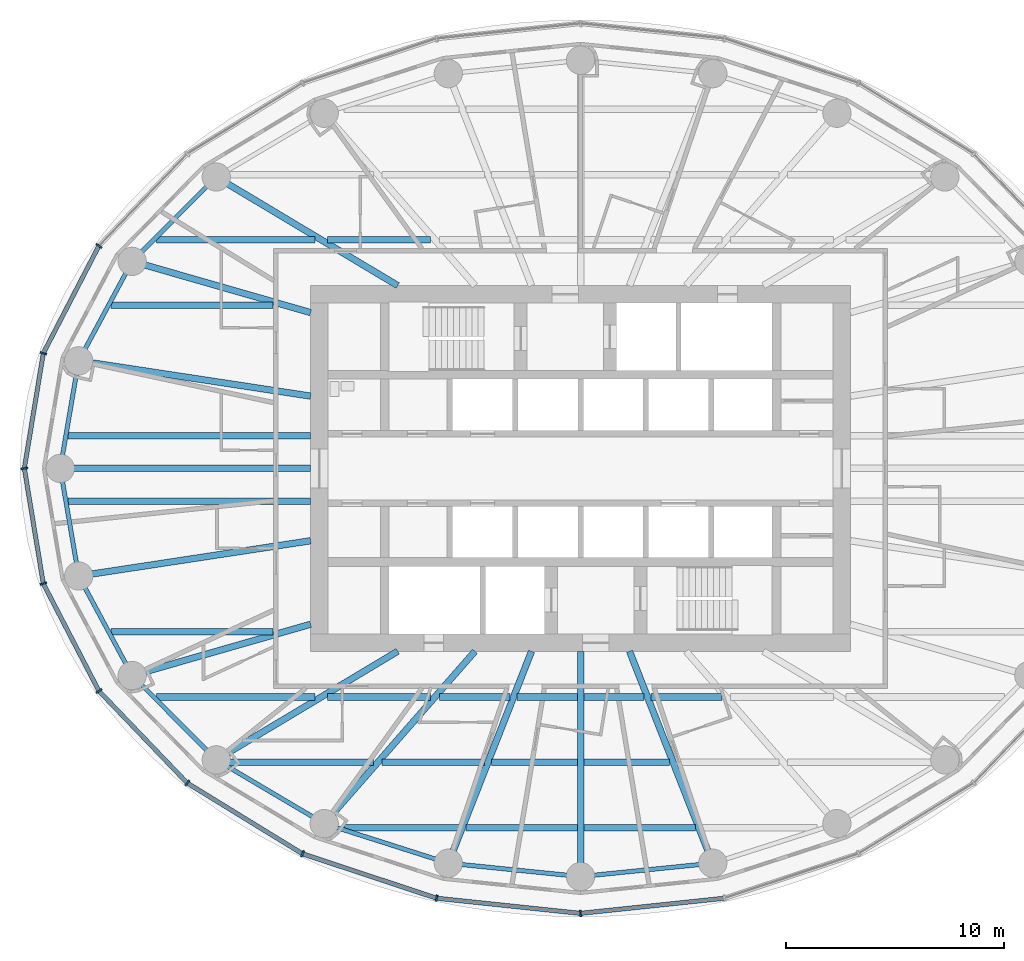
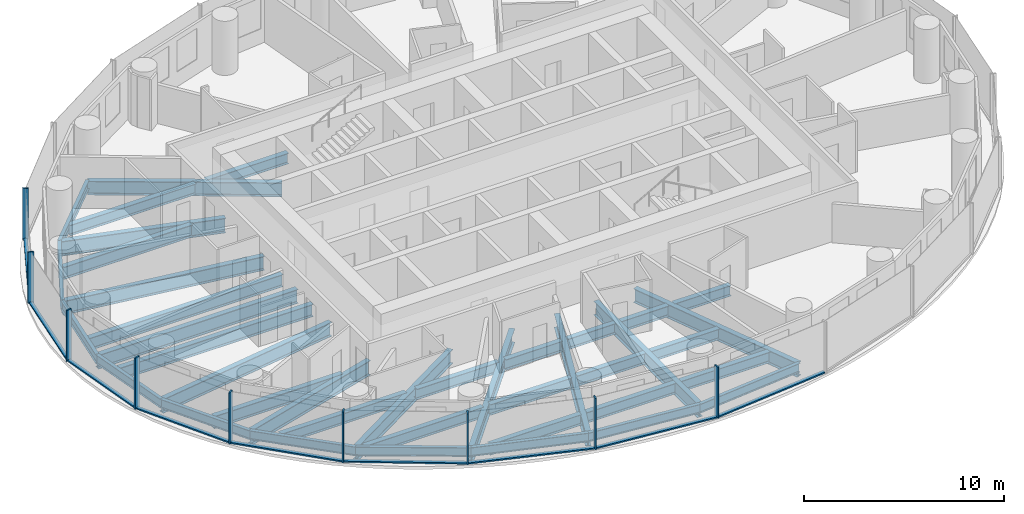
# One storey, part 2 of 14: 40 beams, 18 members, 3 elements without a shape of their own.
"""IFC4 building model written with IfcOpenShell, lengths in metres."""

from ifc_helpers import new_model, si_unit, direction, frame, origin, origin_2d, place, context, subcontext, project, spatial, rectangle, i_section, extrude, material, material_profile, profile_set, type_object, element, aggregate, save


model = new_model("IFC4")

# Units and contexts
model_context = context("Model", 3, precision=1e-05, world=origin(), true_north=direction((0.0, 1.0)))
body_context = subcontext(model_context, "Body", "Model", "MODEL_VIEW")
ifc_project = project(units=[si_unit("LENGTHUNIT", "METRE"), si_unit("AREAUNIT", "SQUARE_METRE"), si_unit("VOLUMEUNIT", "CUBIC_METRE"), si_unit("PLANEANGLEUNIT", "RADIAN"), si_unit("MASSUNIT", "GRAM", prefix="KILO")], contexts=[model_context])

# Site, building, storey
site_placement = place(None, origin())
site = spatial("IfcSite", under=ifc_project, at=site_placement, CompositionType="ELEMENT")
building_placement = place(site_placement, origin())
building = spatial("IfcBuilding", under=site, at=building_placement, Name="Hankou Lantern Tower", CompositionType="ELEMENT")
storey_placement = place(building_placement, frame((0.0, 0.0, 108.89990234375)))
storey = spatial("IfcBuildingStorey", under=building, at=storey_placement, Name="L27", CompositionType="ELEMENT", Elevation=108.89990234375)

# Beams
ifc_material_1 = material(Name="Steel Q355B", Category="steel")
ifc_material_profile_1 = material_profile(ifc_material_1, i_section(OverallWidth=0.199951171875, OverallDepth=0.550048828125, WebThickness=0.010009765625, FlangeThickness=0.01611328125, FilletRadius=0.012939453125, at=origin_2d()), Name="HN550x200x10x16")
ifc_profile_set_1 = profile_set([ifc_material_profile_1], Name="Steel Q355B")
beam_type_1 = type_object("IfcBeamType", Name="EB6 RING BEAM HN550x200x10x16", PredefinedType="SPANDREL", material=ifc_profile_set_1)
beam_1_placement = place(storey_placement, frame((-16.73388671875, 13.38720703125, -0.454833984375), z_axis=(-0.705945468625, -0.708266189599, 0.0), x_axis=(0.708266189599, -0.705945468625, 0.0)))
element("IfcBeam", 1, at=beam_1_placement, inside=storey, type_object=beam_type_1, Name="Ring beam R10-R11 L27", PredefinedType="SPANDREL", context=body_context, shape_type="SweptSolid", body=[
    extrude(i_section(OverallWidth=0.199951171875, OverallDepth=0.550048828125, WebThickness=0.010009765625, FlangeThickness=0.01611328125, FilletRadius=0.012939453125, at=origin_2d()), origin(), (0.0, 0.0, 1.0), 5.470458984375),
])
beam_2_placement = place(storey_placement, frame((-20.595703125, 9.5126953125, -0.454833984375), z_axis=(-0.473824901673, -0.880619079145, 0.0), x_axis=(0.880619079145, -0.473824901673, 0.0)))
element("IfcBeam", 2, at=beam_2_placement, inside=storey, type_object=beam_type_1, Name="Ring beam R11-R12 L27", PredefinedType="SPANDREL", context=body_context, shape_type="SweptSolid", body=[
    extrude(i_section(OverallWidth=0.199951171875, OverallDepth=0.550048828125, WebThickness=0.010009765625, FlangeThickness=0.01611328125, FilletRadius=0.012939453125, at=origin_2d()), origin(), (0.0, 0.0, 1.0), 5.190185546875),
])
for number, where, z_axis, x_axis, name in (
    (3, (-23.054931640625, 4.942138671875, -0.454833984375), (-0.168527258545, -0.985696993567, 0.0), (0.985696993567, -0.168527258545, 0.0), "Ring beam R12-R13 L27"),
    (4, (-23.89990234375, 0.0, -0.454833984375), (0.168527258545, -0.985696993567, 0.0), (0.985696993567, 0.168527258545, 0.0), "Ring beam R13-R14 L27"),
):
    element("IfcBeam", number, at=place(storey_placement, frame(where, z_axis=z_axis, x_axis=x_axis)), inside=storey, type_object=beam_type_1, Name=name, PredefinedType="SPANDREL", context=body_context, shape_type="SweptSolid", body=[
        extrude(i_section(OverallWidth=0.199951171875, OverallDepth=0.550048828125, WebThickness=0.010009765625, FlangeThickness=0.01611328125, FilletRadius=0.012939453125, at=origin_2d()), origin(), (0.0, 0.0, 1.0), 5.013916015625),
    ])
beam_3_placement = place(storey_placement, frame((-23.054931640625, -4.942138671875, -0.454833984375), z_axis=(0.473824901673, -0.880619079145, 0.0), x_axis=(0.880619079145, 0.473824901673, 0.0)))
element("IfcBeam", 5, at=beam_3_placement, inside=storey, type_object=beam_type_1, Name="Ring beam R14-R15 L27", PredefinedType="SPANDREL", context=body_context, shape_type="SweptSolid", body=[
    extrude(i_section(OverallWidth=0.199951171875, OverallDepth=0.550048828125, WebThickness=0.010009765625, FlangeThickness=0.01611328125, FilletRadius=0.012939453125, at=origin_2d()), origin(), (0.0, 0.0, 1.0), 5.190185546875),
])
beam_4_placement = place(storey_placement, frame((-20.595703125, -9.5126953125, -0.454833984375), z_axis=(0.705945468625, -0.708266189599, 0.0), x_axis=(0.708266189599, 0.705945468625, 0.0)))
element("IfcBeam", 6, at=beam_4_placement, inside=storey, type_object=beam_type_1, Name="Ring beam R15-R16 L27", PredefinedType="SPANDREL", context=body_context, shape_type="SweptSolid", body=[
    extrude(i_section(OverallWidth=0.199951171875, OverallDepth=0.550048828125, WebThickness=0.010009765625, FlangeThickness=0.01611328125, FilletRadius=0.012939453125, at=origin_2d()), origin(), (0.0, 0.0, 1.0), 5.470458984375),
])
beam_5_placement = place(storey_placement, frame((-16.73388671875, -13.38720703125, -0.454833984375), z_axis=(0.860988974188, -0.508623619513, 0.0), x_axis=(0.508623619513, 0.860988974188, 0.0)))
element("IfcBeam", 7, at=beam_5_placement, inside=storey, type_object=beam_type_1, Name="Ring beam R16-R17 L27", PredefinedType="SPANDREL", context=body_context, shape_type="SweptSolid", body=[
    extrude(i_section(OverallWidth=0.199951171875, OverallDepth=0.550048828125, WebThickness=0.010009765625, FlangeThickness=0.01611328125, FilletRadius=0.012939453125, at=origin_2d()), origin(), (0.0, 0.0, 1.0), 5.759033203125),
])
beam_6_placement = place(storey_placement, frame((-11.775390625, -16.31640625, -0.454833984375), z_axis=(0.952731090451, -0.303814860215, 0.0), x_axis=(0.303814860215, 0.952731090451, 0.0)))
element("IfcBeam", 8, at=beam_6_placement, inside=storey, type_object=beam_type_1, Name="Ring beam R17-R18 L27", PredefinedType="SPANDREL", context=body_context, shape_type="SweptSolid", body=[
    extrude(i_section(OverallWidth=0.199951171875, OverallDepth=0.550048828125, WebThickness=0.010009765625, FlangeThickness=0.01611328125, FilletRadius=0.012939453125, at=origin_2d()), origin(), (0.0, 0.0, 1.0), 5.984375),
])
for number, where, z_axis, x_axis, name in (
    (9, (-6.073974609375, -18.134521484375, -0.454833984375), (0.994905271594, -0.100814188259, 0.0), (0.100814188259, 0.994905271594, 0.0), "Ring beam R18-R19 L27"),
    (10, (0.0, -18.75, -0.454833984375), (0.994905271594, 0.100814188259, 0.0), (-0.100814188259, 0.994905271594, 0.0), "Ring beam R19-R20 L27"),
):
    element("IfcBeam", number, at=place(storey_placement, frame(where, z_axis=z_axis, x_axis=x_axis)), inside=storey, type_object=beam_type_1, Name=name, PredefinedType="SPANDREL", context=body_context, shape_type="SweptSolid", body=[
        extrude(i_section(OverallWidth=0.199951171875, OverallDepth=0.550048828125, WebThickness=0.010009765625, FlangeThickness=0.01611328125, FilletRadius=0.012939453125, at=origin_2d()), origin(), (0.0, 0.0, 1.0), 6.10498046875),
    ])

# Curtain wall, members
ifc_material_2 = material(Name="Glass, dark grey tinted laminated", Category="glass")
curtain_wall_type = type_object("IfcCurtainWallType", Name="CWB OUTER SKIN MID-RISE", PredefinedType="USERDEFINED", material=ifc_material_2)
curtain_wall_1_placement = place(storey_placement, origin())
curtain_wall_1 = element("IfcCurtainWall", 11, at=curtain_wall_1_placement, inside=storey, type_object=curtain_wall_type, Name="CWB L27 OS2", ObjectType="OUTER SKIN MID-RISE", PredefinedType="USERDEFINED")
ifc_material_3 = material(Name="Aluminium, black anodised", Category="aluminium")
ifc_material_profile_2 = material_profile(ifc_material_3, rectangle(XDim=0.080078125, YDim=0.300048828125, at=origin_2d()), Name="MU1 80X300")
ifc_profile_set_2 = profile_set([ifc_material_profile_2], Name="Aluminium, black anodised")
member_type_1 = type_object("IfcMemberType", Name="MU1 OUTER SKIN MULLION 80X300", PredefinedType="MULLION", material=ifc_profile_set_2)
member_1_placement = place(storey_placement, frame((-22.126953125, 10.219970703125, 0.0), z_axis=(0.0, 0.0, 1.0), x_axis=(-0.585205735974, -0.810884854084, 0.0)))
member_1 = element("IfcMember", 12, at=member_1_placement, type_object=member_type_1, Name="CWB mullion 5", PredefinedType="MULLION", context=body_context, shape_type="SweptSolid", body=[
    extrude(rectangle(XDim=0.080078125, YDim=0.300048828125, at=origin_2d()), origin(), (0.0, 0.0, 1.0), 3.1201171875),
])
member_2_placement = place(storey_placement, frame((-24.679443359375, 5.290283203125, 0.0), z_axis=(0.0, 0.0, 1.0), x_axis=(-0.317595577365, -0.94822626479, 0.0)))
member_2 = element("IfcMember", 13, at=member_2_placement, type_object=member_type_1, Name="CWB mullion 6", PredefinedType="MULLION", context=body_context, shape_type="SweptSolid", body=[
    extrude(rectangle(XDim=0.080078125, YDim=0.300048828125, at=origin_2d()), origin(), (0.0, 0.0, 1.0), 3.1201171875),
])

curtain_wall_2_placement = place(storey_placement, origin())
curtain_wall_2 = element("IfcCurtainWall", 14, at=curtain_wall_2_placement, inside=storey, type_object=curtain_wall_type, Name="CWB L27 OS3", ObjectType="OUTER SKIN MID-RISE", PredefinedType="USERDEFINED")
member_3_placement = place(storey_placement, frame((-25.550048828125, 0.0, 0.0), z_axis=(0.0, 0.0, 1.0), x_axis=(0.162381515188, -0.986728049427, 0.0)))
member_3 = element("IfcMember", 15, at=member_3_placement, type_object=member_type_1, Name="CWB mullion 1", PredefinedType="MULLION", context=body_context, shape_type="SweptSolid", body=[
    extrude(rectangle(XDim=0.080078125, YDim=0.300048828125, at=origin_2d()), origin(), (0.0, 0.0, 1.0), 3.1201171875),
])
member_4_placement = place(storey_placement, frame((-24.679443359375, -5.290283203125, 0.0), z_axis=(0.0, 0.0, 1.0), x_axis=(0.317595577365, -0.94822626479, 0.0)))
member_4 = element("IfcMember", 16, at=member_4_placement, type_object=member_type_1, Name="CWB mullion 2", PredefinedType="MULLION", context=body_context, shape_type="SweptSolid", body=[
    extrude(rectangle(XDim=0.080078125, YDim=0.300048828125, at=origin_2d()), origin(), (0.0, 0.0, 1.0), 3.1201171875),
])
member_5_placement = place(storey_placement, frame((-22.126953125, -10.219970703125, 0.0), z_axis=(0.0, 0.0, 1.0), x_axis=(0.585205735974, -0.810884854084, 0.0)))
member_5 = element("IfcMember", 17, at=member_5_placement, type_object=member_type_1, Name="CWB mullion 3", PredefinedType="MULLION", context=body_context, shape_type="SweptSolid", body=[
    extrude(rectangle(XDim=0.080078125, YDim=0.300048828125, at=origin_2d()), origin(), (0.0, 0.0, 1.0), 3.1201171875),
])
member_6_placement = place(storey_placement, frame((-18.066650390625, -14.453369140625, 0.0), z_axis=(0.0, 0.0, 1.0), x_axis=(0.780868809444, -0.624695047553, 0.0)))
member_6 = element("IfcMember", 18, at=member_6_placement, type_object=member_type_1, Name="CWB mullion 4", PredefinedType="MULLION", context=body_context, shape_type="SweptSolid", body=[
    extrude(rectangle(XDim=0.080078125, YDim=0.300048828125, at=origin_2d()), origin(), (0.0, 0.0, 1.0), 3.1201171875),
])
member_7_placement = place(storey_placement, frame((-12.77490234375, -17.70166015625, 0.0), z_axis=(0.0, 0.0, 1.0), x_axis=(0.907841299004, -0.419313934686, 0.0)))
member_7 = element("IfcMember", 19, at=member_7_placement, type_object=member_type_1, Name="CWB mullion 5", PredefinedType="MULLION", context=body_context, shape_type="SweptSolid", body=[
    extrude(rectangle(XDim=0.080078125, YDim=0.300048828125, at=origin_2d()), origin(), (0.0, 0.0, 1.0), 3.1201171875),
])
member_8_placement = place(storey_placement, frame((-6.61279296875, -19.743408203125, 0.0), z_axis=(0.0, 0.0, 1.0), x_axis=(0.977787659625, -0.209597931016, 0.0)))
member_8 = element("IfcMember", 20, at=member_8_placement, type_object=member_type_1, Name="CWB mullion 6", PredefinedType="MULLION", context=body_context, shape_type="SweptSolid", body=[
    extrude(rectangle(XDim=0.080078125, YDim=0.300048828125, at=origin_2d()), origin(), (0.0, 0.0, 1.0), 3.1201171875),
])

# Curtain wall, member
curtain_wall_3_placement = place(storey_placement, origin())
curtain_wall_3 = element("IfcCurtainWall", 21, at=curtain_wall_3_placement, inside=storey, type_object=curtain_wall_type, Name="CWB L27 OS4", ObjectType="OUTER SKIN MID-RISE", PredefinedType="USERDEFINED")
member_9_placement = place(storey_placement, frame((0.0, -20.43994140625, 0.0), z_axis=(0.0, 0.0, 1.0), x_axis=(0.994499359107, 0.104742659579, 0.0)))
member_9 = element("IfcMember", 22, at=member_9_placement, type_object=member_type_1, Name="CWB mullion 1", PredefinedType="MULLION", context=body_context, shape_type="SweptSolid", body=[
    extrude(rectangle(XDim=0.080078125, YDim=0.300048828125, at=origin_2d()), origin(), (0.0, 0.0, 1.0), 3.1201171875),
])

# Beams
ifc_material_4 = material(Name="Steel Q355B", Category="steel")
ifc_material_profile_3 = material_profile(ifc_material_4, i_section(OverallWidth=0.300048828125, OverallDepth=0.85009765625, WebThickness=0.01611328125, FlangeThickness=0.027099609375, FilletRadius=0.01806640625, at=origin_2d()), Name="HN850x300x16x27")
ifc_profile_set_3 = profile_set([ifc_material_profile_3], Name="Steel Q355B")
beam_type_2 = type_object("IfcBeamType", Name="RB12 RADIAL BEAM HN850x300x16x27", PredefinedType="BEAM", material=ifc_profile_set_3)
beam_7_placement = place(storey_placement, frame((-8.39990234375, 8.39990234375, -0.60498046875), z_axis=(-0.858086776551, 0.513504706802, 0.0), x_axis=(-0.513504706802, -0.858086776551, 0.0)))
element("IfcBeam", 23, at=beam_7_placement, inside=storey, type_object=beam_type_2, Name="Radial beam R10 L27", PredefinedType="BEAM", context=body_context, shape_type="SweptSolid", body=[
    extrude(i_section(OverallWidth=0.300048828125, OverallDepth=0.85009765625, WebThickness=0.01611328125, FlangeThickness=0.027099609375, FilletRadius=0.01806640625, at=origin_2d()), origin(), (0.0, 0.0, 1.0), 9.71240234375),
])
beam_8_placement = place(storey_placement, frame((-12.39990234375, 3.322509765625, -0.60498046875), z_axis=(-0.988643506875, 0.150279793429, 0.0), x_axis=(-0.150279793429, -0.988643506875, 0.0)))
element("IfcBeam", 24, at=beam_8_placement, inside=storey, type_object=beam_type_2, Name="Radial beam R12 L27", PredefinedType="BEAM", context=body_context, shape_type="SweptSolid", body=[
    extrude(i_section(OverallWidth=0.300048828125, OverallDepth=0.85009765625, WebThickness=0.01611328125, FlangeThickness=0.027099609375, FilletRadius=0.01806640625, at=origin_2d()), origin(), (0.0, 0.0, 1.0), 10.77734375),
])
beam_9_placement = place(storey_placement, frame((-12.39990234375, 0.0, -0.60498046875), z_axis=(-1.0, 0.0, 0.0), x_axis=(0.0, -1.0, 0.0)))
element("IfcBeam", 25, at=beam_9_placement, inside=storey, type_object=beam_type_2, Name="Radial beam R13 L27", PredefinedType="BEAM", context=body_context, shape_type="SweptSolid", body=[
    extrude(i_section(OverallWidth=0.300048828125, OverallDepth=0.85009765625, WebThickness=0.01611328125, FlangeThickness=0.027099609375, FilletRadius=0.01806640625, at=origin_2d()), origin(), (0.0, 0.0, 1.0), 11.5),
])
beam_10_placement = place(storey_placement, frame((-12.39990234375, -3.322509765625, -0.60498046875), z_axis=(-0.988643506875, -0.150279793429, 0.0), x_axis=(0.150279793429, -0.988643506875, 0.0)))
element("IfcBeam", 26, at=beam_10_placement, inside=storey, type_object=beam_type_2, Name="Radial beam R14 L27", PredefinedType="BEAM", context=body_context, shape_type="SweptSolid", body=[
    extrude(i_section(OverallWidth=0.300048828125, OverallDepth=0.85009765625, WebThickness=0.01611328125, FlangeThickness=0.027099609375, FilletRadius=0.01806640625, at=origin_2d()), origin(), (0.0, 0.0, 1.0), 10.77734375),
])
beam_11_placement = place(storey_placement, frame((-8.39990234375, -8.39990234375, -0.60498046875), z_axis=(-0.858086776551, -0.513504706802, 0.0), x_axis=(0.513504706802, -0.858086776551, 0.0)))
element("IfcBeam", 27, at=beam_11_placement, inside=storey, type_object=beam_type_2, Name="Radial beam R16 L27", PredefinedType="BEAM", context=body_context, shape_type="SweptSolid", body=[
    extrude(i_section(OverallWidth=0.300048828125, OverallDepth=0.85009765625, WebThickness=0.01611328125, FlangeThickness=0.027099609375, FilletRadius=0.01806640625, at=origin_2d()), origin(), (0.0, 0.0, 1.0), 9.71240234375),
])
beam_12_placement = place(storey_placement, frame((-4.849853515625, -8.39990234375, -0.60498046875), z_axis=(-0.658429014446, -0.752642832249, 0.0), x_axis=(0.752642832249, -0.658429014446, 0.0)))
element("IfcBeam", 28, at=beam_12_placement, inside=storey, type_object=beam_type_2, Name="Radial beam R17 L27", PredefinedType="BEAM", context=body_context, shape_type="SweptSolid", body=[
    extrude(i_section(OverallWidth=0.300048828125, OverallDepth=0.85009765625, WebThickness=0.01611328125, FlangeThickness=0.027099609375, FilletRadius=0.01806640625, at=origin_2d()), origin(), (0.0, 0.0, 1.0), 10.518310546875),
])
beam_13_placement = place(storey_placement, frame((-2.250732421875, -8.39990234375, -0.60498046875), z_axis=(-0.365563535437, -0.930786388791, 0.0), x_axis=(0.930786388791, -0.365563535437, 0.0)))
element("IfcBeam", 29, at=beam_13_placement, inside=storey, type_object=beam_type_2, Name="Radial beam R18 L27", PredefinedType="BEAM", context=body_context, shape_type="SweptSolid", body=[
    extrude(i_section(OverallWidth=0.300048828125, OverallDepth=0.85009765625, WebThickness=0.01611328125, FlangeThickness=0.027099609375, FilletRadius=0.01806640625, at=origin_2d()), origin(), (0.0, 0.0, 1.0), 10.45849609375),
])
beam_14_placement = place(storey_placement, frame((0.0, -8.39990234375, -0.60498046875), z_axis=(0.0, -1.0, 0.0), x_axis=(1.0, 0.0, 0.0)))
element("IfcBeam", 30, at=beam_14_placement, inside=storey, type_object=beam_type_2, Name="Radial beam R19 L27", PredefinedType="BEAM", context=body_context, shape_type="SweptSolid", body=[
    extrude(i_section(OverallWidth=0.300048828125, OverallDepth=0.85009765625, WebThickness=0.01611328125, FlangeThickness=0.027099609375, FilletRadius=0.01806640625, at=origin_2d()), origin(), (0.0, 0.0, 1.0), 10.35009765625),
])
beam_15_placement = place(storey_placement, frame((2.250732421875, -8.39990234375, -0.60498046875), z_axis=(0.365563535437, -0.930786388791, 0.0), x_axis=(0.930786388791, 0.365563535437, 0.0)))
element("IfcBeam", 31, at=beam_15_placement, inside=storey, type_object=beam_type_2, Name="Radial beam R20 L27", PredefinedType="BEAM", context=body_context, shape_type="SweptSolid", body=[
    extrude(i_section(OverallWidth=0.300048828125, OverallDepth=0.85009765625, WebThickness=0.01611328125, FlangeThickness=0.027099609375, FilletRadius=0.01806640625, at=origin_2d()), origin(), (0.0, 0.0, 1.0), 10.45849609375),
])
ifc_material_5 = material(Name="Steel Q355B", Category="steel")
ifc_material_profile_4 = material_profile(ifc_material_5, i_section(OverallWidth=0.300048828125, OverallDepth=0.89990234375, WebThickness=0.01611328125, FlangeThickness=0.028076171875, FilletRadius=0.01806640625, at=origin_2d()), Name="HN900x300x16x28")
ifc_profile_set_4 = profile_set([ifc_material_profile_4], Name="Steel Q355B")
beam_type_3 = type_object("IfcBeamType", Name="RB13 RADIAL BEAM HN900x300x16x28", PredefinedType="BEAM", material=ifc_profile_set_4)
for number, where, z_axis, x_axis, name in (
    (32, (-12.39990234375, 7.1591796875, -0.6298828125), (-0.961155741911, 0.276006593745, 0.0), (-0.276006593745, -0.961155741911, 0.0), "Radial beam R11 L27"),
    (33, (-12.39990234375, -7.1591796875, -0.6298828125), (-0.961155741911, -0.276006593745, 0.0), (0.276006593745, -0.961155741911, 0.0), "Radial beam R15 L27"),
):
    element("IfcBeam", number, at=place(storey_placement, frame(where, z_axis=z_axis, x_axis=x_axis)), inside=storey, type_object=beam_type_3, Name=name, PredefinedType="BEAM", context=body_context, shape_type="SweptSolid", body=[
        extrude(i_section(OverallWidth=0.300048828125, OverallDepth=0.89990234375, WebThickness=0.01611328125, FlangeThickness=0.028076171875, FilletRadius=0.01806640625, at=origin_2d()), origin(), (0.0, 0.0, 1.0), 8.527099609375),
    ])
ifc_material_6 = material(Name="Steel Q355B", Category="steel")
ifc_material_profile_5 = material_profile(ifc_material_6, i_section(OverallWidth=0.300048828125, OverallDepth=0.75, WebThickness=0.012939453125, FlangeThickness=0.02392578125, FilletRadius=0.01806640625, at=origin_2d()), Name="HN750x300x13x24")
ifc_profile_set_5 = profile_set([ifc_material_profile_5], Name="Steel Q355B")
beam_type_4 = type_object("IfcBeamType", Name="SB10 SECONDARY BEAM HN750x300x13x24", PredefinedType="JOIST", material=ifc_profile_set_5)
beam_16_placement = place(storey_placement, frame((-21.56494140625, -7.5, -0.554931640625), z_axis=(1.0, 0.0, 0.0), x_axis=(0.0, 1.0, 0.0)))
element("IfcBeam", 34, at=beam_16_placement, inside=storey, type_object=beam_type_4, Name="Floor joist J019 L27", PredefinedType="JOIST", context=body_context, shape_type="SweptSolid", body=[
    extrude(i_section(OverallWidth=0.300048828125, OverallDepth=0.75, WebThickness=0.012939453125, FlangeThickness=0.02392578125, FilletRadius=0.01806640625, at=origin_2d()), origin(), (0.0, 0.0, 1.0), 7.4345703125),
])
for number, where, z_axis, x_axis, name in (
    (35, (-23.5419921875, -1.5, -0.554931640625), (1.0, 0.0, 0.0), (0.0, 1.0, 0.0), "Floor joist J025 L27"),
    (36, (-23.5419921875, 1.5, -0.554931640625), (1.0, 0.0, 0.0), (0.0, 1.0, 0.0), "Floor joist J027 L27"),
):
    element("IfcBeam", number, at=place(storey_placement, frame(where, z_axis=z_axis, x_axis=x_axis)), inside=storey, type_object=beam_type_4, Name=name, PredefinedType="JOIST", context=body_context, shape_type="SweptSolid", body=[
        extrude(i_section(OverallWidth=0.300048828125, OverallDepth=0.75, WebThickness=0.012939453125, FlangeThickness=0.02392578125, FilletRadius=0.01806640625, at=origin_2d()), origin(), (0.0, 0.0, 1.0), 11.14208984375),
    ])
beam_17_placement = place(storey_placement, frame((-21.56494140625, 7.5, -0.554931640625), z_axis=(1.0, 0.0, 0.0), x_axis=(0.0, 1.0, 0.0)))
element("IfcBeam", 37, at=beam_17_placement, inside=storey, type_object=beam_type_4, Name="Floor joist J033 L27", PredefinedType="JOIST", context=body_context, shape_type="SweptSolid", body=[
    extrude(i_section(OverallWidth=0.300048828125, OverallDepth=0.75, WebThickness=0.012939453125, FlangeThickness=0.02392578125, FilletRadius=0.01806640625, at=origin_2d()), origin(), (0.0, 0.0, 1.0), 7.4345703125),
])
ifc_material_7 = material(Name="Steel Q355B", Category="steel")
ifc_material_profile_6 = material_profile(ifc_material_7, i_section(OverallWidth=0.300048828125, OverallDepth=0.64990234375, WebThickness=0.010986328125, FlangeThickness=0.01708984375, FilletRadius=0.01806640625, at=origin_2d()), Name="HN650x300x11x17")
ifc_profile_set_6 = profile_set([ifc_material_profile_6], Name="Steel Q355B")
beam_type_5 = type_object("IfcBeamType", Name="SB8 SECONDARY BEAM HN650x300x11x17", PredefinedType="JOIST", material=ifc_profile_set_6)
beam_18_placement = place(storey_placement, frame((-10.8701171875, -16.5, -0.5048828125), z_axis=(1.0, 0.0, 0.0), x_axis=(0.0, 1.0, 0.0)))
element("IfcBeam", 38, at=beam_18_placement, inside=storey, type_object=beam_type_5, Name="Floor joist J001 L27", PredefinedType="JOIST", context=body_context, shape_type="SweptSolid", body=[
    extrude(i_section(OverallWidth=0.300048828125, OverallDepth=0.64990234375, WebThickness=0.010986328125, FlangeThickness=0.01708984375, FilletRadius=0.01806640625, at=origin_2d()), origin(), (0.0, 0.0, 1.0), 5.27685546875),
])
for number, where, z_axis, x_axis, name in (
    (39, (-5.270751953125, -16.5, -0.5048828125), (1.0, 0.0, 0.0), (0.0, 1.0, 0.0), "Floor joist J002 L27"),
    (40, (0.14990234375, -16.5, -0.5048828125), (1.0, 0.0, 0.0), (0.0, 1.0, 0.0), "Floor joist J003 L27"),
):
    element("IfcBeam", number, at=place(storey_placement, frame(where, z_axis=z_axis, x_axis=x_axis)), inside=storey, type_object=beam_type_5, Name=name, PredefinedType="JOIST", context=body_context, shape_type="SweptSolid", body=[
        extrude(i_section(OverallWidth=0.300048828125, OverallDepth=0.64990234375, WebThickness=0.010986328125, FlangeThickness=0.01708984375, FilletRadius=0.01806640625, at=origin_2d()), origin(), (0.0, 0.0, 1.0), 5.120849609375),
    ])
beam_19_placement = place(storey_placement, frame((-16.34619140625, -13.5, -0.5048828125), z_axis=(1.0, 0.0, 0.0), x_axis=(0.0, 1.0, 0.0)))
element("IfcBeam", 41, at=beam_19_placement, inside=storey, type_object=beam_type_5, Name="Floor joist J005 L27", PredefinedType="JOIST", context=body_context, shape_type="SweptSolid", body=[
    extrude(i_section(OverallWidth=0.300048828125, OverallDepth=0.64990234375, WebThickness=0.010986328125, FlangeThickness=0.01708984375, FilletRadius=0.01806640625, at=origin_2d()), origin(), (0.0, 0.0, 1.0), 6.83544921875),
])
beam_20_placement = place(storey_placement, frame((-9.112060546875, -13.5, -0.5048828125), z_axis=(1.0, 0.0, 0.0), x_axis=(0.0, 1.0, 0.0)))
element("IfcBeam", 42, at=beam_20_placement, inside=storey, type_object=beam_type_5, Name="Floor joist J006 L27", PredefinedType="JOIST", context=body_context, shape_type="SweptSolid", body=[
    extrude(i_section(OverallWidth=0.300048828125, OverallDepth=0.64990234375, WebThickness=0.010986328125, FlangeThickness=0.01708984375, FilletRadius=0.01806640625, at=origin_2d()), origin(), (0.0, 0.0, 1.0), 4.697021484375),
])
for number, where, z_axis, x_axis, name in (
    (43, (-4.092529296875, -13.5, -0.5048828125), (1.0, 0.0, 0.0), (0.0, 1.0, 0.0), "Floor joist J007 L27"),
    (44, (0.14990234375, -13.5, -0.5048828125), (1.0, 0.0, 0.0), (0.0, 1.0, 0.0), "Floor joist J008 L27"),
):
    element("IfcBeam", number, at=place(storey_placement, frame(where, z_axis=z_axis, x_axis=x_axis)), inside=storey, type_object=beam_type_5, Name=name, PredefinedType="JOIST", context=body_context, shape_type="SweptSolid", body=[
        extrude(i_section(OverallWidth=0.300048828125, OverallDepth=0.64990234375, WebThickness=0.010986328125, FlangeThickness=0.01708984375, FilletRadius=0.01806640625, at=origin_2d()), origin(), (0.0, 0.0, 1.0), 3.942626953125),
    ])
beam_21_placement = place(storey_placement, frame((-19.470458984375, -10.5, -0.5048828125), z_axis=(1.0, 0.0, 0.0), x_axis=(0.0, 1.0, 0.0)))
element("IfcBeam", 45, at=beam_21_placement, inside=storey, type_object=beam_type_5, Name="Floor joist J011 L27", PredefinedType="JOIST", context=body_context, shape_type="SweptSolid", body=[
    extrude(i_section(OverallWidth=0.300048828125, OverallDepth=0.64990234375, WebThickness=0.010986328125, FlangeThickness=0.01708984375, FilletRadius=0.01806640625, at=origin_2d()), origin(), (0.0, 0.0, 1.0), 7.26904296875),
])
beam_22_placement = place(storey_placement, frame((-11.6171875, -10.5, -0.5048828125), z_axis=(1.0, 0.0, 0.0), x_axis=(0.0, 1.0, 0.0)))
element("IfcBeam", 46, at=beam_22_placement, inside=storey, type_object=beam_type_5, Name="Floor joist J012 L27", PredefinedType="JOIST", context=body_context, shape_type="SweptSolid", body=[
    extrude(i_section(OverallWidth=0.300048828125, OverallDepth=0.64990234375, WebThickness=0.010986328125, FlangeThickness=0.01708984375, FilletRadius=0.01806640625, at=origin_2d()), origin(), (0.0, 0.0, 1.0), 4.73095703125),
])
beam_23_placement = place(storey_placement, frame((-6.487548828125, -10.5, -0.5048828125), z_axis=(1.0, 0.0, 0.0), x_axis=(0.0, 1.0, 0.0)))
element("IfcBeam", 47, at=beam_23_placement, inside=storey, type_object=beam_type_5, Name="Floor joist J013 L27", PredefinedType="JOIST", context=body_context, shape_type="SweptSolid", body=[
    extrude(i_section(OverallWidth=0.300048828125, OverallDepth=0.64990234375, WebThickness=0.010986328125, FlangeThickness=0.01708984375, FilletRadius=0.01806640625, at=origin_2d()), origin(), (0.0, 0.0, 1.0), 3.2509765625),
])
for number, where, z_axis, x_axis, name in (
    (48, (-2.914306640625, -10.5, -0.5048828125), (1.0, 0.0, 0.0), (0.0, 1.0, 0.0), "Floor joist J014 L27"),
    (49, (0.14990234375, -10.5, -0.5048828125), (1.0, 0.0, 0.0), (0.0, 1.0, 0.0), "Floor joist J015 L27"),
):
    element("IfcBeam", number, at=place(storey_placement, frame(where, z_axis=z_axis, x_axis=x_axis)), inside=storey, type_object=beam_type_5, Name=name, PredefinedType="JOIST", context=body_context, shape_type="SweptSolid", body=[
        extrude(i_section(OverallWidth=0.300048828125, OverallDepth=0.64990234375, WebThickness=0.010986328125, FlangeThickness=0.01708984375, FilletRadius=0.01806640625, at=origin_2d()), origin(), (0.0, 0.0, 1.0), 2.764404296875),
    ])
beam_24_placement = place(storey_placement, frame((3.236572265625, -10.5, -0.5048828125), z_axis=(1.0, 0.0, 0.0), x_axis=(0.0, 1.0, 0.0)))
element("IfcBeam", 50, at=beam_24_placement, inside=storey, type_object=beam_type_5, Name="Floor joist J016 L27", PredefinedType="JOIST", context=body_context, shape_type="SweptSolid", body=[
    extrude(i_section(OverallWidth=0.300048828125, OverallDepth=0.64990234375, WebThickness=0.010986328125, FlangeThickness=0.01708984375, FilletRadius=0.01806640625, at=origin_2d()), origin(), (0.0, 0.0, 1.0), 3.2509765625),
])
beam_25_placement = place(storey_placement, frame((-19.470458984375, 10.5, -0.5048828125), z_axis=(1.0, 0.0, 0.0), x_axis=(0.0, 1.0, 0.0)))
element("IfcBeam", 51, at=beam_25_placement, inside=storey, type_object=beam_type_5, Name="Floor joist J035 L27", PredefinedType="JOIST", context=body_context, shape_type="SweptSolid", body=[
    extrude(i_section(OverallWidth=0.300048828125, OverallDepth=0.64990234375, WebThickness=0.010986328125, FlangeThickness=0.01708984375, FilletRadius=0.01806640625, at=origin_2d()), origin(), (0.0, 0.0, 1.0), 7.26904296875),
])
beam_26_placement = place(storey_placement, frame((-11.6171875, 10.5, -0.5048828125), z_axis=(1.0, 0.0, 0.0), x_axis=(0.0, 1.0, 0.0)))
element("IfcBeam", 52, at=beam_26_placement, inside=storey, type_object=beam_type_5, Name="Floor joist J036 L27", PredefinedType="JOIST", context=body_context, shape_type="SweptSolid", body=[
    extrude(i_section(OverallWidth=0.300048828125, OverallDepth=0.64990234375, WebThickness=0.010986328125, FlangeThickness=0.01708984375, FilletRadius=0.01806640625, at=origin_2d()), origin(), (0.0, 0.0, 1.0), 4.73095703125),
])

# Member
ifc_material_8 = material(Name="Aluminium, black anodised", Category="aluminium")
ifc_material_profile_7 = material_profile(ifc_material_8, rectangle(XDim=0.199951171875, YDim=0.080078125, at=origin_2d()), Name="TR1 200X80")
ifc_profile_set_7 = profile_set([ifc_material_profile_7], Name="Aluminium, black anodised")
member_type_2 = type_object("IfcMemberType", Name="TR1 OUTER SKIN TRANSOM 200X80", PredefinedType="USERDEFINED", material=ifc_profile_set_7)
member_10_placement = place(storey_placement, frame((-22.145263671875, 10.1845703125, 0.0400390625), z_axis=(-0.459805240543, -0.888019786249, 0.0), x_axis=(0.888019786249, -0.459805240543, 0.0)))
member_10 = element("IfcMember", 53, at=member_10_placement, type_object=member_type_2, Name="CWB transom 5", ObjectType="TRANSOM", PredefinedType="USERDEFINED", context=body_context, shape_type="SweptSolid", body=[
    extrude(rectangle(XDim=0.199951171875, YDim=0.080078125, at=origin_2d()), origin(), (0.0, 0.0, 1.0), 5.4716796875),
])

member_11_placement = place(storey_placement, frame((-24.685791015625, 5.250732421875, 0.0400390625), z_axis=(-0.162397124076, -0.986725480614, 0.0), x_axis=(0.986725480614, -0.162397124076, 0.0)))
member_11 = element("IfcMember", 54, at=member_11_placement, type_object=member_type_2, Name="CWB transom 6", ObjectType="TRANSOM", PredefinedType="USERDEFINED", context=body_context, shape_type="SweptSolid", body=[
    extrude(rectangle(XDim=0.199951171875, YDim=0.080078125, at=origin_2d()), origin(), (0.0, 0.0, 1.0), 5.28125),
])

aggregate(curtain_wall_1, [member_1, member_2, member_10, member_11])

member_12_placement = place(storey_placement, frame((-25.54345703125, -0.03955078125, 0.0400390625), z_axis=(0.162397124076, -0.986725480614, 0.0), x_axis=(0.986725480614, 0.162397124076, 0.0)))
member_12 = element("IfcMember", 55, at=member_12_placement, type_object=member_type_2, Name="CWB transom 1", ObjectType="TRANSOM", PredefinedType="USERDEFINED", context=body_context, shape_type="SweptSolid", body=[
    extrude(rectangle(XDim=0.199951171875, YDim=0.080078125, at=origin_2d()), origin(), (0.0, 0.0, 1.0), 5.28125),
])

member_13_placement = place(storey_placement, frame((-24.6611328125, -5.32568359375, 0.0400390625), z_axis=(0.459805240543, -0.888019786249, 0.0), x_axis=(0.888019786249, 0.459805240543, 0.0)))
member_13 = element("IfcMember", 56, at=member_13_placement, type_object=member_type_2, Name="CWB transom 2", ObjectType="TRANSOM", PredefinedType="USERDEFINED", context=body_context, shape_type="SweptSolid", body=[
    extrude(rectangle(XDim=0.199951171875, YDim=0.080078125, at=origin_2d()), origin(), (0.0, 0.0, 1.0), 5.4716796875),
])

member_14_placement = place(storey_placement, frame((-22.099365234375, -10.248779296875, 0.0400390625), z_axis=(0.692226977748, -0.721679853729, 0.0), x_axis=(0.721679853729, 0.692226977748, 0.0)))
member_14 = element("IfcMember", 57, at=member_14_placement, type_object=member_type_2, Name="CWB transom 3", ObjectType="TRANSOM", PredefinedType="USERDEFINED", context=body_context, shape_type="SweptSolid", body=[
    extrude(rectangle(XDim=0.199951171875, YDim=0.080078125, at=origin_2d()), origin(), (0.0, 0.0, 1.0), 5.785888671875),
])

member_15_placement = place(storey_placement, frame((-18.032470703125, -14.47412109375, 0.0400390625), z_axis=(0.852229492169, -0.523168130411, 0.0), x_axis=(0.523168130411, 0.852229492169, 0.0)))
member_15 = element("IfcMember", 58, at=member_15_placement, type_object=member_type_2, Name="CWB transom 4", ObjectType="TRANSOM", PredefinedType="USERDEFINED", context=body_context, shape_type="SweptSolid", body=[
    extrude(rectangle(XDim=0.199951171875, YDim=0.080078125, at=origin_2d()), origin(), (0.0, 0.0, 1.0), 6.129150390625),
])

member_16_placement = place(storey_placement, frame((-12.737060546875, -17.714111328125, 0.0400390625), z_axis=(0.949237765745, -0.314559476225, 0.0), x_axis=(0.314559476225, 0.949237765745, 0.0)))
member_16 = element("IfcMember", 59, at=member_16_placement, type_object=member_type_2, Name="CWB transom 5", ObjectType="TRANSOM", PredefinedType="USERDEFINED", context=body_context, shape_type="SweptSolid", body=[
    extrude(rectangle(XDim=0.199951171875, YDim=0.080078125, at=origin_2d()), origin(), (0.0, 0.0, 1.0), 6.41162109375),
])

member_17_placement = place(storey_placement, frame((-6.572998046875, -19.747802734375, 0.0400390625), z_axis=(0.994500972001, -0.10472734451, 0.0), x_axis=(0.10472734451, 0.994500972001, 0.0)))
member_17 = element("IfcMember", 60, at=member_17_placement, type_object=member_type_2, Name="CWB transom 6", ObjectType="TRANSOM", PredefinedType="USERDEFINED", context=body_context, shape_type="SweptSolid", body=[
    extrude(rectangle(XDim=0.199951171875, YDim=0.080078125, at=origin_2d()), origin(), (0.0, 0.0, 1.0), 6.5693359375),
])

aggregate(curtain_wall_2, [member_3, member_4, member_5, member_6, member_7, member_8, member_12, member_13, member_14, member_15, member_16, member_17])

member_18_placement = place(storey_placement, frame((0.039794921875, -20.435791015625, 0.0400390625), z_axis=(0.994500972001, 0.10472734451, 0.0), x_axis=(-0.10472734451, 0.994500972001, 0.0)))
member_18 = element("IfcMember", 61, at=member_18_placement, type_object=member_type_2, Name="CWB transom 1", ObjectType="TRANSOM", PredefinedType="USERDEFINED", context=body_context, shape_type="SweptSolid", body=[
    extrude(rectangle(XDim=0.199951171875, YDim=0.080078125, at=origin_2d()), origin(), (0.0, 0.0, 1.0), 6.5693359375),
])

aggregate(curtain_wall_3, [member_9, member_18])

save(model, "model.ifc")
